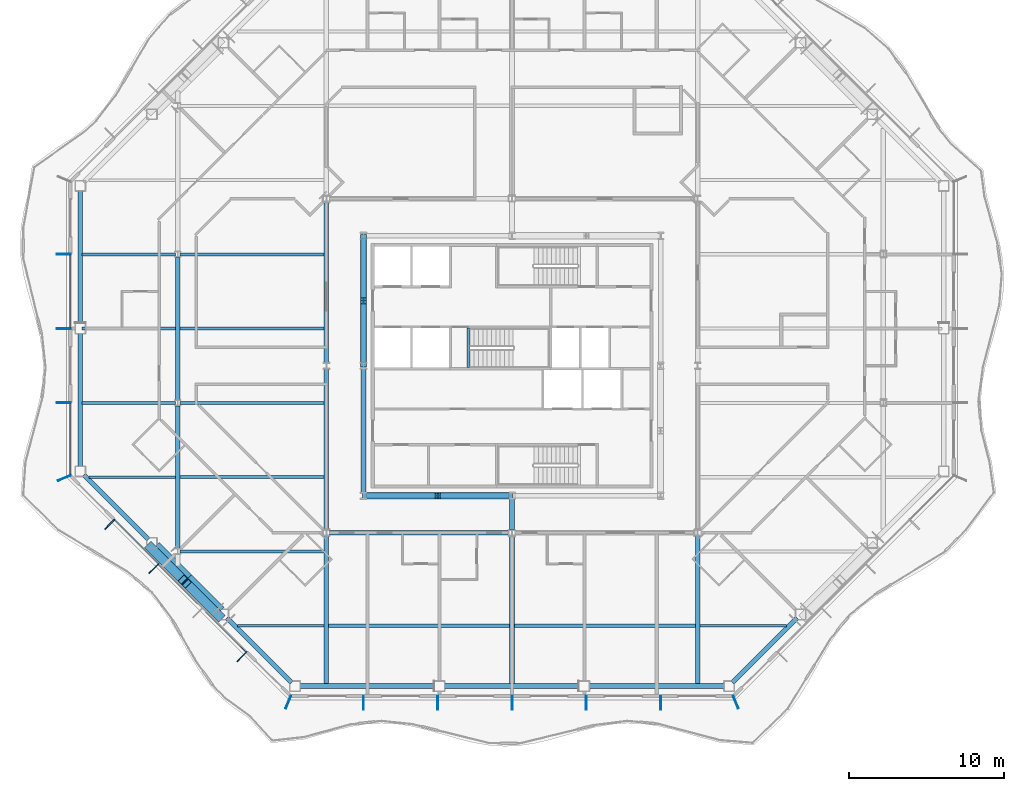
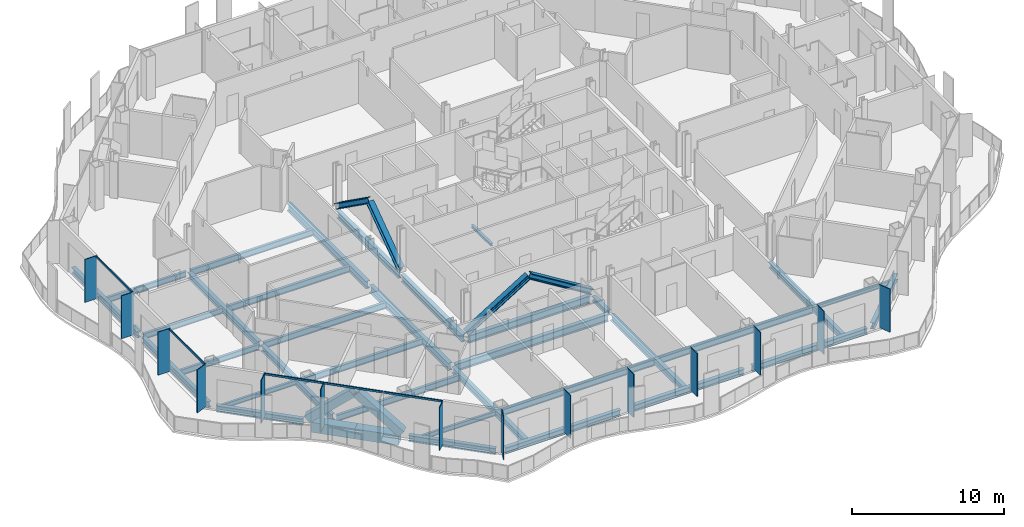
# One storey, part 3 of 21: 36 beams, 25 members, 4 elements without a shape of their own.
"""IFC4 building model written with IfcOpenShell, lengths in metres."""

from ifc_helpers import new_model, si_unit, direction, frame, origin, origin_2d, place, context, subcontext, project, spatial, rectangle, hollow_rectangle, i_section, extrude, material, material_profile, profile_set, type_object, element, aggregate, save


model = new_model("IFC4")

# Units and contexts
model_context = context("Model", 3, precision=1e-05, world=origin(), true_north=direction((0.0, 1.0)))
body_context = subcontext(model_context, "Body", "Model", "MODEL_VIEW")
ifc_project = project(units=[si_unit("LENGTHUNIT", "METRE"), si_unit("AREAUNIT", "SQUARE_METRE"), si_unit("VOLUMEUNIT", "CUBIC_METRE"), si_unit("PLANEANGLEUNIT", "RADIAN"), si_unit("MASSUNIT", "GRAM", prefix="KILO")], contexts=[model_context])

# Site, building, storey
site_placement = place(None, origin())
site = spatial("IfcSite", under=ifc_project, at=site_placement, CompositionType="ELEMENT")
building_placement = place(site_placement, origin())
building = spatial("IfcBuilding", under=site, at=building_placement, Name="Cairn Pilgrim Tower", CompositionType="ELEMENT")
storey_placement = place(building_placement, frame((0.0, 0.0, 143.39990234375)))
storey = spatial("IfcBuildingStorey", under=building, at=storey_placement, Name="L35", CompositionType="ELEMENT", Elevation=143.39990234375)

# Members
ifc_material_1 = material(Name="Structural steel S460M", Category="steel")
ifc_material_profile_1 = material_profile(ifc_material_1, hollow_rectangle(XDim=0.60009765625, YDim=0.60009765625, WallThickness=0.034912109375, at=origin_2d()), Name="BOX 600x600x35")
ifc_profile_set_1 = profile_set([ifc_material_profile_1], Name="Structural steel S460M")
member_type_1 = type_object("IfcMemberType", Name="BOX 600x600x35 BRACE", PredefinedType="BRACE", material=ifc_profile_set_1)
member_1_placement = place(storey_placement, frame((-16.213623046875, -9.288330078125, 0.150146484375), z_axis=(0.53557713953, -0.53557713953, 0.652927450201), x_axis=(0.707106781187, 0.707106781187, 0.0)))
element("IfcMember", 1, at=member_1_placement, inside=storey, type_object=member_type_1, Name="XB-SW2-SW3-1", PredefinedType="BRACE", context=body_context, shape_type="SweptSolid", body=[
    extrude(hollow_rectangle(XDim=0.60009765625, YDim=0.60009765625, WallThickness=0.034912109375, at=origin_2d()), origin(), (0.0, 0.0, 1.0), 4.0361328125),
])
member_2_placement = place(storey_placement, frame((-11.6884765625, -13.813720703125, 0.150146484375), z_axis=(-0.535533998665, 0.535594490476, 0.652948602913), x_axis=(-0.707146713802, -0.707066846316, 0.0)))
element("IfcMember", 2, at=member_2_placement, inside=storey, type_object=member_type_1, Name="XB-SW2-SW3-2", PredefinedType="BRACE", context=body_context, shape_type="SweptSolid", body=[
    extrude(hollow_rectangle(XDim=0.60009765625, YDim=0.60009765625, WallThickness=0.034912109375, at=origin_2d()), origin(), (0.0, 0.0, 1.0), 4.035888671875),
])

# Beams
ifc_material_2 = material(Name="Structural steel S355J2", Category="steel")
ifc_material_profile_2 = material_profile(ifc_material_2, hollow_rectangle(XDim=0.699951171875, YDim=0.800048828125, WallThickness=0.0400390625, at=origin_2d()), Name="BOX 700x800x40")
ifc_profile_set_2 = profile_set([ifc_material_profile_2], Name="Structural steel S355J2")
beam_type_1 = type_object("IfcBeamType", Name="BOX 700x800x40 RING GIRDER", PredefinedType="SPANDREL", material=ifc_profile_set_2)
for number, where, z_axis, x_axis, name in (
    (3, (-15.85302734375, -9.274169921875, -0.5498046875), (0.707106781187, -0.707106781187, 0.0), (0.707106781187, 0.707106781187, 0.0), "RG2-SW2-SW3-1"),
    (4, (-13.763671875, -11.363525390625, -0.5498046875), (0.707106781187, -0.707106781187, 0.0), (0.707106781187, 0.707106781187, 0.0), "RG2-SW2-SW3-2"),
):
    element("IfcBeam", number, at=place(storey_placement, frame(where, z_axis=z_axis, x_axis=x_axis)), inside=storey, type_object=beam_type_1, Name=name, PredefinedType="SPANDREL", context=body_context, shape_type="SweptSolid", body=[
        extrude(hollow_rectangle(XDim=0.699951171875, YDim=0.800048828125, WallThickness=0.0400390625, at=origin_2d()), origin(), (0.0, 0.0, 1.0), 2.954833984375),
    ])

# Curtain wall, members
ifc_material_3 = material(Name="Aluminium alloy 6063-T6 bronze anodised with Bronze tinted laminated low-E glass 8+16+8.8", Category="aluminium")
curtain_wall_type_1 = type_object("IfcCurtainWallType", Name="TOWER STICK CURTAIN WALL NS", PredefinedType="NOTDEFINED", material=ifc_material_3)
curtain_wall_1_placement = place(storey_placement, origin())
curtain_wall_1 = element("IfcCurtainWall", 5, at=curtain_wall_1_placement, inside=storey, type_object=curtain_wall_type_1, Name="Tower Stick Curtain Wall Ns S", PredefinedType="NOTDEFINED")
ifc_material_4 = material(Name="Aluminium alloy 6063-T6 bronze anodised", Category="aluminium")
ifc_material_profile_3 = material_profile(ifc_material_4, rectangle(XDim=0.89990234375, YDim=0.06005859375, at=origin_2d()), Name="FIN MULLION 60x900 BRONZE")
ifc_profile_set_3 = profile_set([ifc_material_profile_3], Name="Aluminium alloy 6063-T6 bronze anodised")
member_type_2 = type_object("IfcMemberType", Name="FIN MULLION 60x900 BRONZE", PredefinedType="MULLION", material=ifc_profile_set_3)
member_3_placement = place(storey_placement, frame((-7.257080078125, -19.338134765625, 0.0), z_axis=(0.0, 0.0, 1.0), x_axis=(-0.382683432365, -0.923879532511, 0.0)))
member_3 = element("IfcMember", 6, at=member_3_placement, type_object=member_type_2, Name="Fin mullion S1", PredefinedType="MULLION", context=body_context, shape_type="SweptSolid", body=[
    extrude(rectangle(XDim=0.89990234375, YDim=0.06005859375, at=origin_2d()), origin(), (0.0, 0.0, 1.0), 3.4501953125),
])
member_4_placement = place(storey_placement, frame((-2.39990234375, -19.3701171875, 0.0), z_axis=(0.0, 0.0, 1.0), x_axis=(0.0, -1.0, 0.0)))
member_4 = element("IfcMember", 7, at=member_4_placement, type_object=member_type_2, Name="Fin mullion S2", PredefinedType="MULLION", context=body_context, shape_type="SweptSolid", body=[
    extrude(rectangle(XDim=0.89990234375, YDim=0.06005859375, at=origin_2d()), origin(), (0.0, 0.0, 1.0), 3.4501953125),
])
member_5_placement = place(storey_placement, frame((2.39990234375, -19.3701171875, 0.0), z_axis=(0.0, 0.0, 1.0), x_axis=(0.0, -1.0, 0.0)))
member_5 = element("IfcMember", 8, at=member_5_placement, type_object=member_type_2, Name="Fin mullion S3", PredefinedType="MULLION", context=body_context, shape_type="SweptSolid", body=[
    extrude(rectangle(XDim=0.89990234375, YDim=0.06005859375, at=origin_2d()), origin(), (0.0, 0.0, 1.0), 3.4501953125),
])
member_6_placement = place(storey_placement, frame((7.199951171875, -19.3701171875, 0.0), z_axis=(0.0, 0.0, 1.0), x_axis=(0.0, -1.0, 0.0)))
member_6 = element("IfcMember", 9, at=member_6_placement, type_object=member_type_2, Name="Fin mullion S4", PredefinedType="MULLION", context=body_context, shape_type="SweptSolid", body=[
    extrude(rectangle(XDim=0.89990234375, YDim=0.06005859375, at=origin_2d()), origin(), (0.0, 0.0, 1.0), 3.4501953125),
])
member_7_placement = place(storey_placement, frame((12.0, -19.3701171875, 0.0), z_axis=(0.0, 0.0, 1.0), x_axis=(0.0, -1.0, 0.0)))
member_7 = element("IfcMember", 10, at=member_7_placement, type_object=member_type_2, Name="Fin mullion S5", PredefinedType="MULLION", context=body_context, shape_type="SweptSolid", body=[
    extrude(rectangle(XDim=0.89990234375, YDim=0.06005859375, at=origin_2d()), origin(), (0.0, 0.0, 1.0), 3.4501953125),
])
member_8_placement = place(storey_placement, frame((16.800048828125, -19.3701171875, 0.0), z_axis=(0.0, 0.0, 1.0), x_axis=(0.0, -1.0, 0.0)))
member_8 = element("IfcMember", 11, at=member_8_placement, type_object=member_type_2, Name="Fin mullion S6", PredefinedType="MULLION", context=body_context, shape_type="SweptSolid", body=[
    extrude(rectangle(XDim=0.89990234375, YDim=0.06005859375, at=origin_2d()), origin(), (0.0, 0.0, 1.0), 3.4501953125),
])
aggregate(curtain_wall_1, [member_3, member_4, member_5, member_6, member_7, member_8])

# Curtain wall, member
curtain_wall_type_2 = type_object("IfcCurtainWallType", Name="CHAMFER CORNER CURTAIN WALL", PredefinedType="NOTDEFINED", material=ifc_material_3)
curtain_wall_2_placement = place(storey_placement, origin())
curtain_wall_2 = element("IfcCurtainWall", 12, at=curtain_wall_2_placement, inside=storey, type_object=curtain_wall_type_2, Name="Chamfer Corner Curtain Wall SE", PredefinedType="NOTDEFINED")
member_9_placement = place(storey_placement, frame((21.6572265625, -19.338134765625, 0.0), z_axis=(0.0, 0.0, 1.0), x_axis=(0.382683432365, -0.923879532511, 0.0)))
member_9 = element("IfcMember", 13, at=member_9_placement, type_object=member_type_2, Name="Fin mullion SE1", PredefinedType="MULLION", context=body_context, shape_type="SweptSolid", body=[
    extrude(rectangle(XDim=0.89990234375, YDim=0.06005859375, at=origin_2d()), origin(), (0.0, 0.0, 1.0), 3.4501953125),
])
aggregate(curtain_wall_2, [member_9])

# Curtain wall, members
curtain_wall_type_3 = type_object("IfcCurtainWallType", Name="TOWER STICK CURTAIN WALL EW", PredefinedType="NOTDEFINED", material=ifc_material_3)
curtain_wall_3_placement = place(storey_placement, origin())
curtain_wall_3 = element("IfcCurtainWall", 14, at=curtain_wall_3_placement, inside=storey, type_object=curtain_wall_type_3, Name="Tower Stick Curtain Wall Ew W", PredefinedType="NOTDEFINED")
member_10_placement = place(storey_placement, frame((-21.77001953125, 9.60009765625, 0.0), z_axis=(0.0, 0.0, 1.0), x_axis=(-1.0, 0.0, 0.0)))
member_10 = element("IfcMember", 15, at=member_10_placement, type_object=member_type_2, Name="Fin mullion W2", PredefinedType="MULLION", context=body_context, shape_type="SweptSolid", body=[
    extrude(rectangle(XDim=0.89990234375, YDim=0.06005859375, at=origin_2d()), origin(), (0.0, 0.0, 1.0), 3.4501953125),
])
member_11_placement = place(storey_placement, frame((-21.77001953125, 4.800048828125, 0.0), z_axis=(0.0, 0.0, 1.0), x_axis=(-1.0, 0.0, 0.0)))
member_11 = element("IfcMember", 16, at=member_11_placement, type_object=member_type_2, Name="Fin mullion W3", PredefinedType="MULLION", context=body_context, shape_type="SweptSolid", body=[
    extrude(rectangle(XDim=0.89990234375, YDim=0.06005859375, at=origin_2d()), origin(), (0.0, 0.0, 1.0), 3.4501953125),
])
member_12_placement = place(storey_placement, frame((-21.77001953125, 0.0, 0.0), z_axis=(0.0, 0.0, 1.0), x_axis=(-1.0, 0.0, 0.0)))
member_12 = element("IfcMember", 17, at=member_12_placement, type_object=member_type_2, Name="Fin mullion W4", PredefinedType="MULLION", context=body_context, shape_type="SweptSolid", body=[
    extrude(rectangle(XDim=0.89990234375, YDim=0.06005859375, at=origin_2d()), origin(), (0.0, 0.0, 1.0), 3.4501953125),
])

curtain_wall_4_placement = place(storey_placement, origin())
curtain_wall_4 = element("IfcCurtainWall", 18, at=curtain_wall_4_placement, inside=storey, type_object=curtain_wall_type_2, Name="Chamfer Corner Curtain Wall SW", PredefinedType="NOTDEFINED")
member_13_placement = place(storey_placement, frame((-21.738037109375, -4.857177734375, 0.0), z_axis=(0.0, 0.0, 1.0), x_axis=(-0.923879532511, -0.382683432365, 0.0)))
member_13 = element("IfcMember", 19, at=member_13_placement, type_object=member_type_2, Name="Fin mullion SW1", PredefinedType="MULLION", context=body_context, shape_type="SweptSolid", body=[
    extrude(rectangle(XDim=0.89990234375, YDim=0.06005859375, at=origin_2d()), origin(), (0.0, 0.0, 1.0), 3.4501953125),
])
member_14_placement = place(storey_placement, frame((-18.79638671875, -7.84423828125, 0.0), z_axis=(0.0, 0.0, 1.0), x_axis=(-0.707106781187, -0.707106781187, 0.0)))
member_14 = element("IfcMember", 20, at=member_14_placement, type_object=member_type_2, Name="Fin mullion SW2", PredefinedType="MULLION", context=body_context, shape_type="SweptSolid", body=[
    extrude(rectangle(XDim=0.89990234375, YDim=0.06005859375, at=origin_2d()), origin(), (0.0, 0.0, 1.0), 3.4501953125),
])
member_15_placement = place(storey_placement, frame((-15.945556640625, -10.69482421875, 0.0), z_axis=(0.0, 0.0, 1.0), x_axis=(-0.707106781187, -0.707106781187, 0.0)))
member_15 = element("IfcMember", 21, at=member_15_placement, type_object=member_type_2, Name="Fin mullion SW3", PredefinedType="MULLION", context=body_context, shape_type="SweptSolid", body=[
    extrude(rectangle(XDim=0.89990234375, YDim=0.06005859375, at=origin_2d()), origin(), (0.0, 0.0, 1.0), 3.4501953125),
])
member_16_placement = place(storey_placement, frame((-10.244140625, -16.396240234375, 0.0), z_axis=(0.0, 0.0, 1.0), x_axis=(-0.707106781187, -0.707106781187, 0.0)))
member_16 = element("IfcMember", 22, at=member_16_placement, type_object=member_type_2, Name="Fin mullion SW5", PredefinedType="MULLION", context=body_context, shape_type="SweptSolid", body=[
    extrude(rectangle(XDim=0.89990234375, YDim=0.06005859375, at=origin_2d()), origin(), (0.0, 0.0, 1.0), 3.4501953125),
])

# Members
ifc_material_profile_4 = material_profile(ifc_material_1, i_section(OverallWidth=0.408935546875, OverallDepth=0.425048828125, WebThickness=0.03271484375, FlangeThickness=0.052490234375, FilletRadius=0.014892578125, at=origin_2d()), Name="HD 400x421")
ifc_profile_set_4 = profile_set([ifc_material_profile_4], Name="Structural steel S460M")
member_type_3 = type_object("IfcMemberType", Name="HD 400x421 BRACE", PredefinedType="BRACE", material=ifc_profile_set_4)
member_17_placement = place(storey_placement, frame((-2.357666015625, -6.0, 0.10009765625), z_axis=(0.851063308605, 0.0, 0.525063086444), x_axis=(0.0, 1.0, 0.0)))
element("IfcMember", 23, at=member_17_placement, inside=storey, type_object=member_type_3, Name="KB-1A", PredefinedType="BRACE", context=body_context, shape_type="SweptSolid", body=[
    extrude(i_section(OverallWidth=0.408935546875, OverallDepth=0.425048828125, WebThickness=0.03271484375, FlangeThickness=0.052490234375, FilletRadius=0.014892578125, at=origin_2d()), origin(), (0.0, 0.0, 1.0), 5.527587890625),
])
member_18_placement = place(storey_placement, frame((7.15771484375, -6.0, 0.10009765625), z_axis=(-0.851075484508, 0.0, 0.525043350277), x_axis=(0.0, -1.0, 0.0)))
element("IfcMember", 24, at=member_18_placement, inside=storey, type_object=member_type_3, Name="KB-1B", PredefinedType="BRACE", context=body_context, shape_type="SweptSolid", body=[
    extrude(i_section(OverallWidth=0.408935546875, OverallDepth=0.425048828125, WebThickness=0.03271484375, FlangeThickness=0.052490234375, FilletRadius=0.014892578125, at=origin_2d()), origin(), (0.0, 0.0, 1.0), 5.52783203125),
])
for number, where, z_axis, x_axis, name in (
    (25, (-2.39990234375, 10.757568359375, 0.10009765625), (0.0, -0.814281054922, 0.58047081201), (1.0, 0.0, 0.0), "KB-4A"),
    (26, (-2.39990234375, 2.4423828125, 0.10009765625), (0.0, 0.814281054922, 0.58047081201), (-1.0, 0.0, 0.0), "KB-4B"),
):
    element("IfcMember", number, at=place(storey_placement, frame(where, z_axis=z_axis, x_axis=x_axis)), inside=storey, type_object=member_type_3, Name=name, PredefinedType="BRACE", context=body_context, shape_type="SweptSolid", body=[
        extrude(i_section(OverallWidth=0.408935546875, OverallDepth=0.425048828125, WebThickness=0.03271484375, FlangeThickness=0.052490234375, FilletRadius=0.014892578125, at=origin_2d()), origin(), (0.0, 0.0, 1.0), 4.99755859375),
    ])

# Beams
ifc_material_profile_5 = material_profile(ifc_material_2, i_section(OverallWidth=0.300048828125, OverallDepth=0.39990234375, WebThickness=0.013427734375, FlangeThickness=0.02392578125, FilletRadius=0.027099609375, at=origin_2d()), Name="HEB 400")
ifc_profile_set_5 = profile_set([ifc_material_profile_5], Name="Structural steel S355J2")
beam_type_2 = type_object("IfcBeamType", Name="HEB 400 GIRDER", PredefinedType="BEAM", material=ifc_profile_set_5)
beam_1_placement = place(storey_placement, frame((7.199951171875, -8.195556640625, -0.349853515625), z_axis=(0.0, 1.0, 0.0), x_axis=(-1.0, 0.0, 0.0)))
element("IfcBeam", 27, at=beam_1_placement, inside=storey, type_object=beam_type_2, Name="PG3-E1", PredefinedType="BEAM", context=body_context, shape_type="SweptSolid", body=[
    extrude(i_section(OverallWidth=0.300048828125, OverallDepth=0.39990234375, WebThickness=0.013427734375, FlangeThickness=0.02392578125, FilletRadius=0.027099609375, at=origin_2d()), origin(), (0.0, 0.0, 1.0), 1.983642578125),
])
ifc_material_profile_6 = material_profile(ifc_material_2, i_section(OverallWidth=0.300048828125, OverallDepth=0.5, WebThickness=0.014404296875, FlangeThickness=0.028076171875, FilletRadius=0.027099609375, at=origin_2d()), Name="HEB 500")
ifc_profile_set_6 = profile_set([ifc_material_profile_6], Name="Structural steel S355J2")
beam_type_3 = type_object("IfcBeamType", Name="HEB 500 GIRDER", PredefinedType="BEAM", material=ifc_profile_set_6)
for number, where, z_axis, x_axis, name in (
    (28, (-14.39990234375, -9.400390625, -0.39990234375), (0.0, 1.0, 0.0), (-1.0, 0.0, 0.0), "PG1-1"),
    (29, (-14.39990234375, 0.199462890625, -0.39990234375), (0.0, 1.0, 0.0), (-1.0, 0.0, 0.0), "PG1-2"),
):
    element("IfcBeam", number, at=place(storey_placement, frame(where, z_axis=z_axis, x_axis=x_axis)), inside=storey, type_object=beam_type_3, Name=name, PredefinedType="BEAM", context=body_context, shape_type="SweptSolid", body=[
        extrude(i_section(OverallWidth=0.300048828125, OverallDepth=0.5, WebThickness=0.014404296875, FlangeThickness=0.028076171875, FilletRadius=0.027099609375, at=origin_2d()), origin(), (0.0, 0.0, 1.0), 9.200927734375),
    ])
for number, where, z_axis, x_axis, name in (
    (30, (-4.800048828125, -18.179931640625, -0.39990234375), (0.0, 1.0, 0.0), (-1.0, 0.0, 0.0), "PG2-1"),
    (31, (7.199951171875, -18.179931640625, -0.39990234375), (0.0, 1.0, 0.0), (-1.0, 0.0, 0.0), "PG3-1"),
    (32, (19.199951171875, -18.179931640625, -0.39990234375), (0.0, 1.0, 0.0), (-1.0, 0.0, 0.0), "PG4-1"),
):
    element("IfcBeam", number, at=place(storey_placement, frame(where, z_axis=z_axis, x_axis=x_axis)), inside=storey, type_object=beam_type_3, Name=name, PredefinedType="BEAM", context=body_context, shape_type="SweptSolid", body=[
        extrude(i_section(OverallWidth=0.300048828125, OverallDepth=0.5, WebThickness=0.014404296875, FlangeThickness=0.028076171875, FilletRadius=0.027099609375, at=origin_2d()), origin(), (0.0, 0.0, 1.0), 9.575439453125),
    ])
ifc_material_profile_7 = material_profile(ifc_material_2, i_section(OverallWidth=0.300048828125, OverallDepth=0.5, WebThickness=0.014404296875, FlangeThickness=0.028076171875, FilletRadius=0.027099609375, at=origin_2d()), Name="HEB 500")
ifc_profile_set_7 = profile_set([ifc_material_profile_7], Name="Structural steel S355J2")
beam_type_4 = type_object("IfcBeamType", Name="HEB 500 RING GIRDER", PredefinedType="SPANDREL", material=ifc_profile_set_7)
for number, where, z_axis, x_axis, name in (
    (33, (-6.51220703125, -18.300048828125, -0.39990234375), (1.0, 0.0, 0.0), (0.0, 1.0, 0.0), "RG2-S1-S2"),
    (34, (2.83935546875, -18.300048828125, -0.39990234375), (1.0, 0.0, 0.0), (0.0, 1.0, 0.0), "RG2-S2-S3"),
    (35, (12.190673828125, -18.300048828125, -0.39990234375), (1.0, 0.0, 0.0), (0.0, 1.0, 0.0), "RG2-S3-SE1"),
):
    element("IfcBeam", number, at=place(storey_placement, frame(where, z_axis=z_axis, x_axis=x_axis)), inside=storey, type_object=beam_type_4, Name=name, PredefinedType="SPANDREL", context=body_context, shape_type="SweptSolid", body=[
        extrude(i_section(OverallWidth=0.300048828125, OverallDepth=0.5, WebThickness=0.014404296875, FlangeThickness=0.028076171875, FilletRadius=0.027099609375, at=origin_2d()), origin(), (0.0, 0.0, 1.0), 8.721435546875),
    ])
beam_2_placement = place(storey_placement, frame((21.449951171875, -18.077392578125, -0.39990234375), z_axis=(0.707086125179, 0.707127436591, 0.0), x_axis=(-0.707127436591, 0.707086125179, 0.0)))
element("IfcBeam", 36, at=beam_2_placement, inside=storey, type_object=beam_type_4, Name="RG2-SE1-SE2", PredefinedType="SPANDREL", context=body_context, shape_type="SweptSolid", body=[
    extrude(i_section(OverallWidth=0.300048828125, OverallDepth=0.5, WebThickness=0.014404296875, FlangeThickness=0.028076171875, FilletRadius=0.027099609375, at=origin_2d()), origin(), (0.0, 0.0, 1.0), 5.90966796875),
])
beam_3_placement = place(storey_placement, frame((-20.699951171875, 13.712158203125, -0.39990234375), z_axis=(0.0, -1.0, 0.0), x_axis=(1.0, 0.0, 0.0)))
element("IfcBeam", 37, at=beam_3_placement, inside=storey, type_object=beam_type_4, Name="RG2-W1-W2", PredefinedType="SPANDREL", context=body_context, shape_type="SweptSolid", body=[
    extrude(i_section(OverallWidth=0.300048828125, OverallDepth=0.5, WebThickness=0.014404296875, FlangeThickness=0.028076171875, FilletRadius=0.027099609375, at=origin_2d()), origin(), (0.0, 0.0, 1.0), 8.59716796875),
])
beam_4_placement = place(storey_placement, frame((-20.699951171875, 4.485107421875, -0.39990234375), z_axis=(0.0, -1.0, 0.0), x_axis=(1.0, 0.0, 0.0)))
element("IfcBeam", 38, at=beam_4_placement, inside=storey, type_object=beam_type_4, Name="RG2-W2-SW1", PredefinedType="SPANDREL", context=body_context, shape_type="SweptSolid", body=[
    extrude(i_section(OverallWidth=0.300048828125, OverallDepth=0.5, WebThickness=0.014404296875, FlangeThickness=0.028076171875, FilletRadius=0.027099609375, at=origin_2d()), origin(), (0.0, 0.0, 1.0), 8.597412109375),
])
beam_5_placement = place(storey_placement, frame((-20.477294921875, -4.64990234375, -0.39990234375), z_axis=(0.707106781187, -0.707106781187, 0.0), x_axis=(0.707106781187, 0.707106781187, 0.0)))
element("IfcBeam", 39, at=beam_5_placement, inside=storey, type_object=beam_type_4, Name="RG2-SW1-SW2", PredefinedType="SPANDREL", context=body_context, shape_type="SweptSolid", body=[
    extrude(i_section(OverallWidth=0.300048828125, OverallDepth=0.5, WebThickness=0.014404296875, FlangeThickness=0.028076171875, FilletRadius=0.027099609375, at=origin_2d()), origin(), (0.0, 0.0, 1.0), 5.90966796875),
])
beam_6_placement = place(storey_placement, frame((-11.228759765625, -13.8984375, -0.39990234375), z_axis=(0.707106781187, -0.707106781187, 0.0), x_axis=(0.707106781187, 0.707106781187, 0.0)))
element("IfcBeam", 40, at=beam_6_placement, inside=storey, type_object=beam_type_4, Name="RG2-SW3-S1", PredefinedType="SPANDREL", context=body_context, shape_type="SweptSolid", body=[
    extrude(i_section(OverallWidth=0.300048828125, OverallDepth=0.5, WebThickness=0.014404296875, FlangeThickness=0.028076171875, FilletRadius=0.027099609375, at=origin_2d()), origin(), (0.0, 0.0, 1.0), 5.909912109375),
])
ifc_material_profile_8 = material_profile(ifc_material_2, i_section(OverallWidth=0.300048828125, OverallDepth=0.60009765625, WebThickness=0.015380859375, FlangeThickness=0.030029296875, FilletRadius=0.027099609375, at=origin_2d()), Name="HEB 600")
ifc_profile_set_8 = profile_set([ifc_material_profile_8], Name="Structural steel S355J2")
beam_type_5 = type_object("IfcBeamType", Name="HEB 600 CORE BEAM", PredefinedType="BEAM", material=ifc_profile_set_8)
beam_7_placement = place(storey_placement, frame((-2.209228515625, -6.0, -0.449951171875), z_axis=(1.0, 0.0, 0.0), x_axis=(0.0, 1.0, 0.0)))
element("IfcBeam", 41, at=beam_7_placement, inside=storey, type_object=beam_type_5, Name="CB-1", PredefinedType="BEAM", context=body_context, shape_type="SweptSolid", body=[
    extrude(i_section(OverallWidth=0.300048828125, OverallDepth=0.60009765625, WebThickness=0.015380859375, FlangeThickness=0.030029296875, FilletRadius=0.027099609375, at=origin_2d()), origin(), (0.0, 0.0, 1.0), 9.218505859375),
])
for number, where, z_axis, x_axis, name in (
    (42, (-2.39990234375, 10.609130859375, -0.449951171875), (0.0, -1.0, 0.0), (1.0, 0.0, 0.0), "CB-7"),
    (43, (-2.39990234375, 2.209228515625, -0.449951171875), (0.0, -1.0, 0.0), (1.0, 0.0, 0.0), "CB-8"),
):
    element("IfcBeam", number, at=place(storey_placement, frame(where, z_axis=z_axis, x_axis=x_axis)), inside=storey, type_object=beam_type_5, Name=name, PredefinedType="BEAM", context=body_context, shape_type="SweptSolid", body=[
        extrude(i_section(OverallWidth=0.300048828125, OverallDepth=0.60009765625, WebThickness=0.015380859375, FlangeThickness=0.030029296875, FilletRadius=0.027099609375, at=origin_2d()), origin(), (0.0, 0.0, 1.0), 8.018310546875),
    ])
ifc_material_profile_9 = material_profile(ifc_material_2, i_section(OverallWidth=0.300048828125, OverallDepth=0.60009765625, WebThickness=0.015380859375, FlangeThickness=0.030029296875, FilletRadius=0.027099609375, at=origin_2d()), Name="HEB 600")
ifc_profile_set_9 = profile_set([ifc_material_profile_9], Name="Structural steel S355J2")
beam_type_6 = type_object("IfcBeamType", Name="HEB 600 GIRDER", PredefinedType="BEAM", material=ifc_profile_set_9)
for number, where, z_axis, x_axis, name in (
    (44, (-4.800048828125, -8.195556640625, -0.449951171875), (0.0, 1.0, 0.0), (-1.0, 0.0, 0.0), "PG2-2"),
    (45, (-4.800048828125, 2.6044921875, -0.449951171875), (0.0, 1.0, 0.0), (-1.0, 0.0, 0.0), "PG2-3"),
):
    element("IfcBeam", number, at=place(storey_placement, frame(where, z_axis=z_axis, x_axis=x_axis)), inside=storey, type_object=beam_type_6, Name=name, PredefinedType="BEAM", context=body_context, shape_type="SweptSolid", body=[
        extrude(i_section(OverallWidth=0.300048828125, OverallDepth=0.60009765625, WebThickness=0.015380859375, FlangeThickness=0.030029296875, FilletRadius=0.027099609375, at=origin_2d()), origin(), (0.0, 0.0, 1.0), 10.39111328125),
    ])
ifc_material_profile_10 = material_profile(ifc_material_2, i_section(OverallWidth=0.300048828125, OverallDepth=0.60009765625, WebThickness=0.015380859375, FlangeThickness=0.030029296875, FilletRadius=0.027099609375, at=origin_2d()), Name="HEB 600")
ifc_profile_set_10 = profile_set([ifc_material_profile_10], Name="Structural steel S355J2")
beam_type_7 = type_object("IfcBeamType", Name="HEB 600 INNER GIRDER", PredefinedType="BEAM", material=ifc_profile_set_10)
beam_8_placement = place(storey_placement, frame((-4.595458984375, -8.39990234375, -0.449951171875), z_axis=(1.0, 0.0, 0.0), x_axis=(0.0, 1.0, 0.0)))
element("IfcBeam", 46, at=beam_8_placement, inside=storey, type_object=beam_type_7, Name="IG1-1", PredefinedType="BEAM", context=body_context, shape_type="SweptSolid", body=[
    extrude(i_section(OverallWidth=0.300048828125, OverallDepth=0.60009765625, WebThickness=0.015380859375, FlangeThickness=0.030029296875, FilletRadius=0.027099609375, at=origin_2d()), origin(), (0.0, 0.0, 1.0), 11.591064453125),
])
ifc_material_profile_11 = material_profile(ifc_material_2, i_section(OverallWidth=0.169921875, OverallDepth=0.360107421875, WebThickness=0.008056640625, FlangeThickness=0.0126953125, FilletRadius=0.01806640625, at=origin_2d()), Name="IPE 360")
ifc_profile_set_11 = profile_set([ifc_material_profile_11], Name="Structural steel S355J2")
beam_type_8 = type_object("IfcBeamType", Name="IPE 360 SECONDARY BEAM", PredefinedType="JOIST", material=ifc_profile_set_11)
beam_9_placement = place(storey_placement, frame((-10.545166015625, -14.39990234375, -0.329833984375), z_axis=(1.0, 0.0, 0.0), x_axis=(0.0, 1.0, 0.0)))
element("IfcBeam", 47, at=beam_9_placement, inside=storey, type_object=beam_type_8, Name="SB1-1", PredefinedType="JOIST", context=body_context, shape_type="SweptSolid", body=[
    extrude(i_section(OverallWidth=0.169921875, OverallDepth=0.360107421875, WebThickness=0.008056640625, FlangeThickness=0.0126953125, FilletRadius=0.01806640625, at=origin_2d()), origin(), (0.0, 0.0, 1.0), 5.59521484375),
])
for number, where, z_axis, x_axis, name in (
    (48, (19.35009765625, -14.39990234375, -0.329833984375), (1.0, 0.0, 0.0), (0.0, 1.0, 0.0), "SB1-4"),
    (49, (-20.14501953125, -4.800048828125, -0.329833984375), (1.0, 0.0, 0.0), (0.0, 1.0, 0.0), "SB3-1"),
):
    element("IfcBeam", number, at=place(storey_placement, frame(where, z_axis=z_axis, x_axis=x_axis)), inside=storey, type_object=beam_type_8, Name=name, PredefinedType="JOIST", context=body_context, shape_type="SweptSolid", body=[
        extrude(i_section(OverallWidth=0.169921875, OverallDepth=0.360107421875, WebThickness=0.008056640625, FlangeThickness=0.0126953125, FilletRadius=0.01806640625, at=origin_2d()), origin(), (0.0, 0.0, 1.0), 5.594970703125),
    ])
ifc_material_profile_12 = material_profile(ifc_material_2, i_section(OverallWidth=0.18994140625, OverallDepth=0.449951171875, WebThickness=0.009521484375, FlangeThickness=0.0146484375, FilletRadius=0.02099609375, at=origin_2d()), Name="IPE 450")
ifc_profile_set_12 = profile_set([ifc_material_profile_12], Name="Structural steel S355J2")
beam_type_9 = type_object("IfcBeamType", Name="IPE 450 SECONDARY BEAM", PredefinedType="JOIST", material=ifc_profile_set_12)
for number, where, z_axis, x_axis, name in (
    (50, (-20.580078125, 0.0, -0.375), (1.0, 0.0, 0.0), (0.0, 1.0, 0.0), "SB4-1"),
    (51, (-20.580078125, 4.800048828125, -0.375), (1.0, 0.0, 0.0), (0.0, 1.0, 0.0), "SB5-1"),
    (52, (-20.580078125, 9.60009765625, -0.375), (1.0, 0.0, 0.0), (0.0, 1.0, 0.0), "SB6-1"),
):
    element("IfcBeam", number, at=place(storey_placement, frame(where, z_axis=z_axis, x_axis=x_axis)), inside=storey, type_object=beam_type_9, Name=name, PredefinedType="JOIST", context=body_context, shape_type="SweptSolid", body=[
        extrude(i_section(OverallWidth=0.18994140625, OverallDepth=0.449951171875, WebThickness=0.009521484375, FlangeThickness=0.0146484375, FilletRadius=0.02099609375, at=origin_2d()), origin(), (0.0, 0.0, 1.0), 6.030029296875),
    ])
ifc_material_profile_13 = material_profile(ifc_material_2, i_section(OverallWidth=0.199951171875, OverallDepth=0.5, WebThickness=0.01025390625, FlangeThickness=0.01611328125, FilletRadius=0.02099609375, at=origin_2d()), Name="IPE 500")
ifc_profile_set_13 = profile_set([ifc_material_profile_13], Name="Structural steel S355J2")
beam_type_10 = type_object("IfcBeamType", Name="IPE 500 SECONDARY BEAM", PredefinedType="JOIST", material=ifc_profile_set_13)
for number, where, z_axis, x_axis, name in (
    (53, (-14.25, -9.60009765625, -0.39990234375), (1.0, 0.0, 0.0), (0.0, 1.0, 0.0), "SB2-1"),
    (54, (-14.25, -4.800048828125, -0.39990234375), (1.0, 0.0, 0.0), (0.0, 1.0, 0.0), "SB3-2"),
    (55, (-14.25, 0.0, -0.39990234375), (1.0, 0.0, 0.0), (0.0, 1.0, 0.0), "SB4-2"),
    (56, (-14.25, 4.800048828125, -0.39990234375), (1.0, 0.0, 0.0), (0.0, 1.0, 0.0), "SB5-2"),
    (57, (-14.25, 9.60009765625, -0.39990234375), (1.0, 0.0, 0.0), (0.0, 1.0, 0.0), "SB6-2"),
):
    element("IfcBeam", number, at=place(storey_placement, frame(where, z_axis=z_axis, x_axis=x_axis)), inside=storey, type_object=beam_type_10, Name=name, PredefinedType="JOIST", context=body_context, shape_type="SweptSolid", body=[
        extrude(i_section(OverallWidth=0.199951171875, OverallDepth=0.5, WebThickness=0.01025390625, FlangeThickness=0.01611328125, FilletRadius=0.02099609375, at=origin_2d()), origin(), (0.0, 0.0, 1.0), 9.300048828125),
    ])
ifc_material_profile_14 = material_profile(ifc_material_2, i_section(OverallWidth=0.2099609375, OverallDepth=0.550048828125, WebThickness=0.010986328125, FlangeThickness=0.01708984375, FilletRadius=0.02392578125, at=origin_2d()), Name="IPE 550")
ifc_profile_set_14 = profile_set([ifc_material_profile_14], Name="Structural steel S355J2")
beam_type_11 = type_object("IfcBeamType", Name="IPE 550 SECONDARY BEAM", PredefinedType="JOIST", material=ifc_profile_set_14)
for number, where, z_axis, x_axis, name in (
    (58, (-4.64990234375, -14.39990234375, -0.4248046875), (1.0, 0.0, 0.0), (0.0, 1.0, 0.0), "SB1-2"),
    (59, (7.35009765625, -14.39990234375, -0.4248046875), (1.0, 0.0, 0.0), (0.0, 1.0, 0.0), "SB1-3"),
):
    element("IfcBeam", number, at=place(storey_placement, frame(where, z_axis=z_axis, x_axis=x_axis)), inside=storey, type_object=beam_type_11, Name=name, PredefinedType="JOIST", context=body_context, shape_type="SweptSolid", body=[
        extrude(i_section(OverallWidth=0.2099609375, OverallDepth=0.550048828125, WebThickness=0.010986328125, FlangeThickness=0.01708984375, FilletRadius=0.02392578125, at=origin_2d()), origin(), (0.0, 0.0, 1.0), 11.699951171875),
    ])
ifc_material_profile_15 = material_profile(ifc_material_2, i_section(OverallWidth=0.199951171875, OverallDepth=0.199951171875, WebThickness=0.009033203125, FlangeThickness=0.014892578125, FilletRadius=0.01806640625, at=origin_2d()), Name="HE 200 B")
ifc_profile_set_15 = profile_set([ifc_material_profile_15], Name="Structural steel S355J2")
beam_type_12 = type_object("IfcBeamType", Name="STAIR LANDING BEAM HE 200 B", PredefinedType="BEAM", material=ifc_profile_set_15)
beam_10_placement = place(storey_placement, frame((4.37548828125, 2.27490234375, -0.25), z_axis=(0.0, 1.0, 0.0), x_axis=(-1.0, 0.0, 0.0)))
element("IfcBeam", 60, at=beam_10_placement, inside=storey, type_object=beam_type_12, Name="STAIR LANDING BEAM LD-HE200B", PredefinedType="BEAM", context=body_context, shape_type="SweptSolid", body=[
    extrude(i_section(OverallWidth=0.199951171875, OverallDepth=0.199951171875, WebThickness=0.009033203125, FlangeThickness=0.014892578125, FilletRadius=0.01806640625, at=origin_2d()), origin(), (0.0, 0.0, 1.0), 2.550048828125),
])

# Member
ifc_material_profile_16 = material_profile(ifc_material_4, rectangle(XDim=0.080078125, YDim=0.14990234375, at=origin_2d()), Name="TRANSOM 80x150 BRONZE")
ifc_profile_set_16 = profile_set([ifc_material_profile_16], Name="Aluminium alloy 6063-T6 bronze anodised")
member_type_4 = type_object("IfcMemberType", Name="TRANSOM 80x150 BRONZE", PredefinedType="USERDEFINED", material=ifc_profile_set_16)
member_19_placement = place(storey_placement, frame((-21.35009765625, 9.570068359375, 3.375), z_axis=(0.0, -1.0, 0.0), x_axis=(1.0, 0.0, 0.0)))
member_19 = element("IfcMember", 61, at=member_19_placement, type_object=member_type_4, Name="Transom W2", ObjectType="TRANSOM", PredefinedType="USERDEFINED", context=body_context, shape_type="SweptSolid", body=[
    extrude(rectangle(XDim=0.080078125, YDim=0.14990234375, at=origin_2d()), origin(), (0.0, 0.0, 1.0), 4.739990234375),
])

member_20_placement = place(storey_placement, frame((-21.35009765625, -0.030029296875, 3.375), z_axis=(0.0, -1.0, 0.0), x_axis=(1.0, 0.0, 0.0)))
member_20 = element("IfcMember", 62, at=member_20_placement, type_object=member_type_4, Name="Transom W4", ObjectType="TRANSOM", PredefinedType="USERDEFINED", context=body_context, shape_type="SweptSolid", body=[
    extrude(rectangle(XDim=0.080078125, YDim=0.14990234375, at=origin_2d()), origin(), (0.0, 0.0, 1.0), 4.62646484375),
])

aggregate(curtain_wall_3, [member_10, member_11, member_12, member_19, member_20])

member_21_placement = place(storey_placement, frame((-18.47802734375, -7.568359375, 3.375), z_axis=(0.707106781187, -0.707106781187, 0.0), x_axis=(0.707106781187, 0.707106781187, 0.0)))
member_21 = element("IfcMember", 63, at=member_21_placement, type_object=member_type_4, Name="Transom SW2", ObjectType="TRANSOM", PredefinedType="USERDEFINED", context=body_context, shape_type="SweptSolid", body=[
    extrude(rectangle(XDim=0.080078125, YDim=0.14990234375, at=origin_2d()), origin(), (0.0, 0.0, 1.0), 3.9716796875),
])

member_22_placement = place(storey_placement, frame((-15.62744140625, -10.419189453125, 3.375), z_axis=(0.70713751761, -0.707076043427, 0.0), x_axis=(0.707076043427, 0.70713751761, 0.0)))
member_22 = element("IfcMember", 64, at=member_22_placement, type_object=member_type_4, Name="Transom SW3", ObjectType="TRANSOM", PredefinedType="USERDEFINED", context=body_context, shape_type="SweptSolid", body=[
    extrude(rectangle(XDim=0.080078125, YDim=0.14990234375, at=origin_2d()), origin(), (0.0, 0.0, 1.0), 3.971435546875),
])

member_23_placement = place(storey_placement, frame((-12.776611328125, -13.269775390625, 3.375), z_axis=(0.707106781187, -0.707106781187, 0.0), x_axis=(0.707106781187, 0.707106781187, 0.0)))
member_23 = element("IfcMember", 65, at=member_23_placement, type_object=member_type_4, Name="Transom SW4", ObjectType="TRANSOM", PredefinedType="USERDEFINED", context=body_context, shape_type="SweptSolid", body=[
    extrude(rectangle(XDim=0.080078125, YDim=0.14990234375, at=origin_2d()), origin(), (0.0, 0.0, 1.0), 3.9716796875),
])

aggregate(curtain_wall_4, [member_13, member_14, member_15, member_16, member_21, member_22, member_23])

save(model, "model.ifc")
